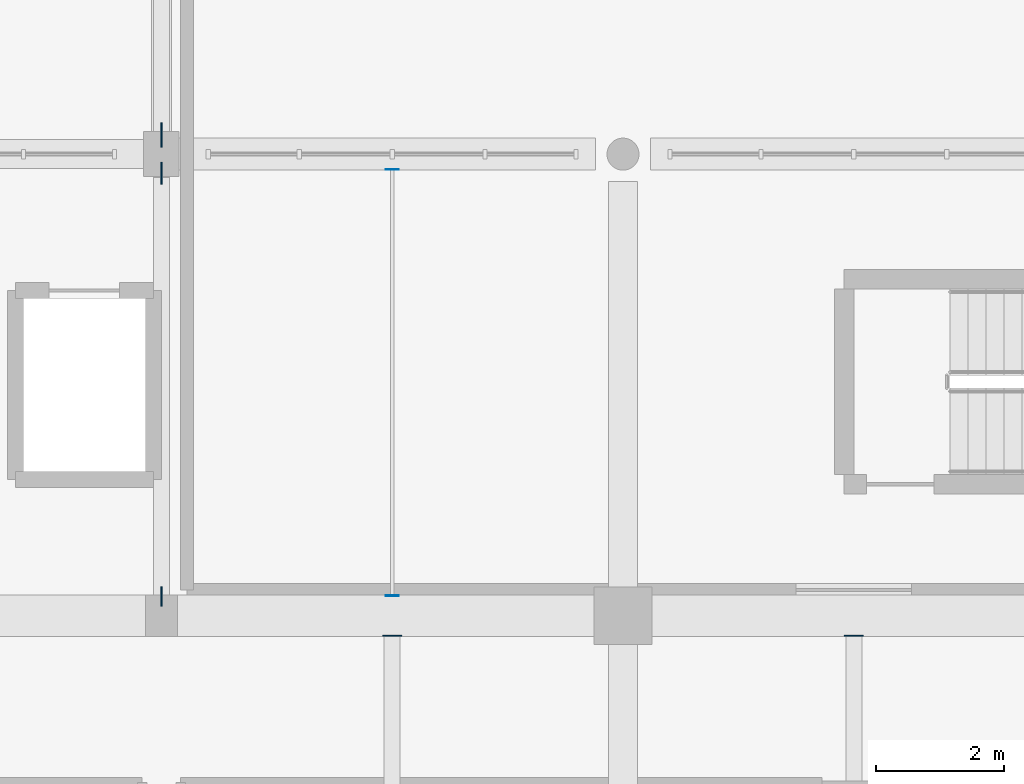
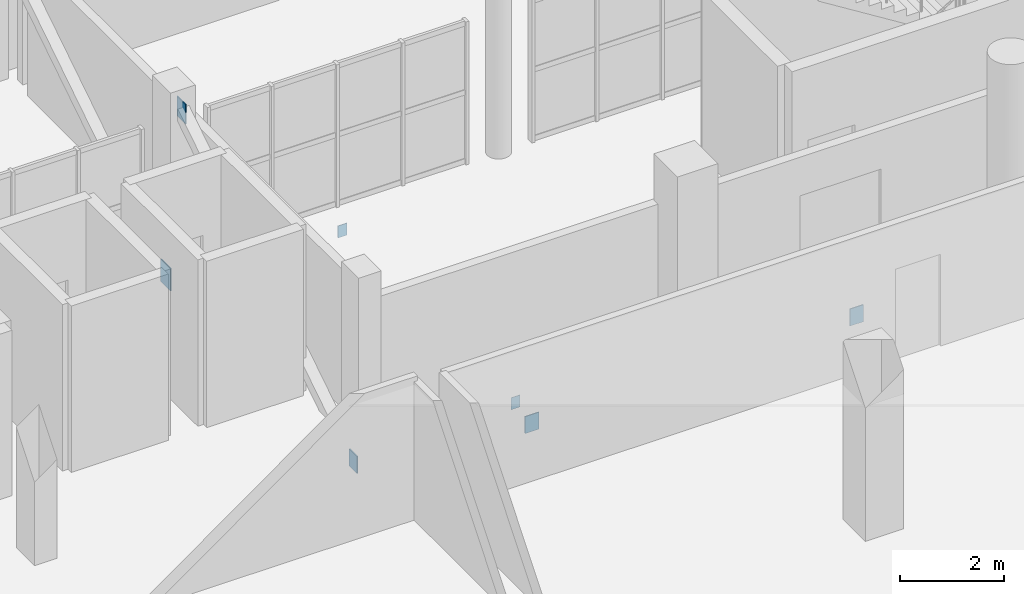
# One storey, part 61 of 90: 7 plates.
"""IFC4 building model written with IfcOpenShell, lengths in metres."""

from ifc_helpers import new_model, si_unit, direction, frame, origin, origin_2d, place, context, subcontext, project, spatial, rectangle, extrude, material, layer, layer_set, type_object, element, save


model = new_model("IFC4")

# Units and contexts
model_context = context("Model", 3, precision=1e-05, world=origin(), true_north=direction((0.0, 1.0)))
body_context = subcontext(model_context, "Body", "Model", "MODEL_VIEW")
ifc_project = project(units=[si_unit("LENGTHUNIT", "METRE"), si_unit("AREAUNIT", "SQUARE_METRE"), si_unit("VOLUMEUNIT", "CUBIC_METRE"), si_unit("PLANEANGLEUNIT", "RADIAN"), si_unit("MASSUNIT", "GRAM", prefix="KILO")], contexts=[model_context])

# Site, building, storey
site_placement = place(None, origin())
site = spatial("IfcSite", under=ifc_project, at=site_placement, CompositionType="ELEMENT")
building_placement = place(site_placement, origin())
building = spatial("IfcBuilding", under=site, at=building_placement, Name="Solanera Park Tramway Depot", CompositionType="ELEMENT")
storey_placement = place(building_placement, frame((0.0, 0.0, 9.0)))
storey = spatial("IfcBuildingStorey", under=building, at=storey_placement, Name="L02", CompositionType="ELEMENT", Elevation=9.0)

# Plates
ifc_material_1 = material(Name="Steel AS/NZS 3679.1 Grade 350", Category="steel")
ifc_layer_1 = layer(ifc_material_1, 0.013916015625)
ifc_layer_set_1 = layer_set([ifc_layer_1], Name="Steel AS/NZS 3679.1 Grade 350")
plate_type_1 = type_object("IfcPlateType", Name="Hollow End Cap and Base Plate 280x200x14", PredefinedType="USERDEFINED", material=ifc_layer_set_1)
for number, where, z_axis, x_axis, name in (
    (1, (133.199951171875, 18.31396484375, -0.5791015625), (0.0, 0.0, 1.0), (0.0, 1.0, 0.0), "Hollow Section Welded End Cap Plate #0050"),
    (2, (133.199951171875, 24.9609375, -0.5791015625), (0.0, 0.0, 1.0), (0.0, 1.0, 0.0), "Hollow Section Welded End Cap Plate #0051"),
):
    element("IfcPlate", number, at=place(storey_placement, frame(where, z_axis=z_axis, x_axis=x_axis)), inside=storey, type_object=plate_type_1, Name=name, ObjectType="BASE PLATE", PredefinedType="USERDEFINED", context=body_context, shape_type="SweptSolid", body=[
        extrude(rectangle(XDim=0.013916015625, YDim=0.199951171875, at=origin_2d()), origin(), (0.0, 0.0, 1.0), 0.280029296875),
    ])
ifc_material_2 = material(Name="Steel AS/NZS 3679.1 Grade 350", Category="steel")
ifc_layer_2 = layer(ifc_material_2, 0.02001953125)
ifc_layer_set_2 = layer_set([ifc_layer_2], Name="Steel AS/NZS 3679.1 Grade 350")
plate_type_2 = type_object("IfcPlateType", Name="Hollow End Cap and Base Plate 400x300x20", PredefinedType="USERDEFINED", material=ifc_layer_set_2)
for number, where, z_axis, x_axis, name in (
    (3, (129.60009765625, 18.300048828125, -0.75), (0.0, 0.0, 1.0), (1.0, 0.0, 0.0), "Hollow Section End Cap Plate #0003"),
    (4, (133.199951171875, 17.68896484375, -0.739013671875), (0.0, 0.0, 1.0), (0.0, 1.0, 0.0), "Hollow Section Welded End Cap Plate #0033"),
    (5, (140.39990234375, 17.68896484375, -0.739013671875), (0.0, 0.0, 1.0), (0.0, 1.0, 0.0), "Hollow Section Welded End Cap Plate #0035"),
):
    element("IfcPlate", number, at=place(storey_placement, frame(where, z_axis=z_axis, x_axis=x_axis)), inside=storey, type_object=plate_type_2, Name=name, ObjectType="BASE PLATE", PredefinedType="USERDEFINED", context=body_context, shape_type="SweptSolid", body=[
        extrude(rectangle(XDim=0.02001953125, YDim=0.300048828125, at=origin_2d()), origin(), (0.0, 0.0, 1.0), 0.39990234375),
    ])
ifc_material_3 = material(Name="Steel AS/NZS 3679.1 Grade 350", Category="steel")
ifc_layer_3 = layer(ifc_material_3, 0.02197265625)
ifc_layer_set_3 = layer_set([ifc_layer_3], Name="Steel AS/NZS 3679.1 Grade 350")
plate_type_3 = type_object("IfcPlateType", Name="Hollow End Cap and Base Plate 460x340x22", PredefinedType="USERDEFINED", material=ifc_layer_set_3)
plate_1_placement = place(storey_placement, frame((129.60009765625, 24.89990234375, 3.449951171875), z_axis=(0.0, 0.0, 1.0), x_axis=(1.0, 0.0, 0.0)))
element("IfcPlate", 6, at=plate_1_placement, inside=storey, type_object=plate_type_3, Name="Hollow Section End Cap Plate #0004", ObjectType="BASE PLATE", PredefinedType="USERDEFINED", context=body_context, shape_type="SweptSolid", body=[
    extrude(rectangle(XDim=0.02197265625, YDim=0.340087890625, at=origin_2d()), origin(), (0.0, 0.0, 1.0), 0.4599609375),
])
ifc_material_4 = material(Name="Steel AS/NZS 3679.1 Grade 350", Category="steel")
ifc_layer_4 = layer(ifc_material_4, 0.02490234375)
ifc_layer_set_4 = layer_set([ifc_layer_4], Name="Steel AS/NZS 3679.1 Grade 350")
plate_type_4 = type_object("IfcPlateType", Name="Hollow End Cap and Base Plate 520x380x25", PredefinedType="USERDEFINED", material=ifc_layer_set_4)
plate_2_placement = place(storey_placement, frame((129.60009765625, 25.5, -0.81005859375), z_axis=(0.0, 0.0, 1.0), x_axis=(1.0, 0.0, 0.0)))
element("IfcPlate", 7, at=plate_2_placement, inside=storey, type_object=plate_type_4, Name="Hollow Section End Cap Plate #0005", ObjectType="BASE PLATE", PredefinedType="USERDEFINED", context=body_context, shape_type="SweptSolid", body=[
    extrude(rectangle(XDim=0.02490234375, YDim=0.3798828125, at=origin_2d()), origin(), (0.0, 0.0, 1.0), 0.52001953125),
])

save(model, "model.ifc")
